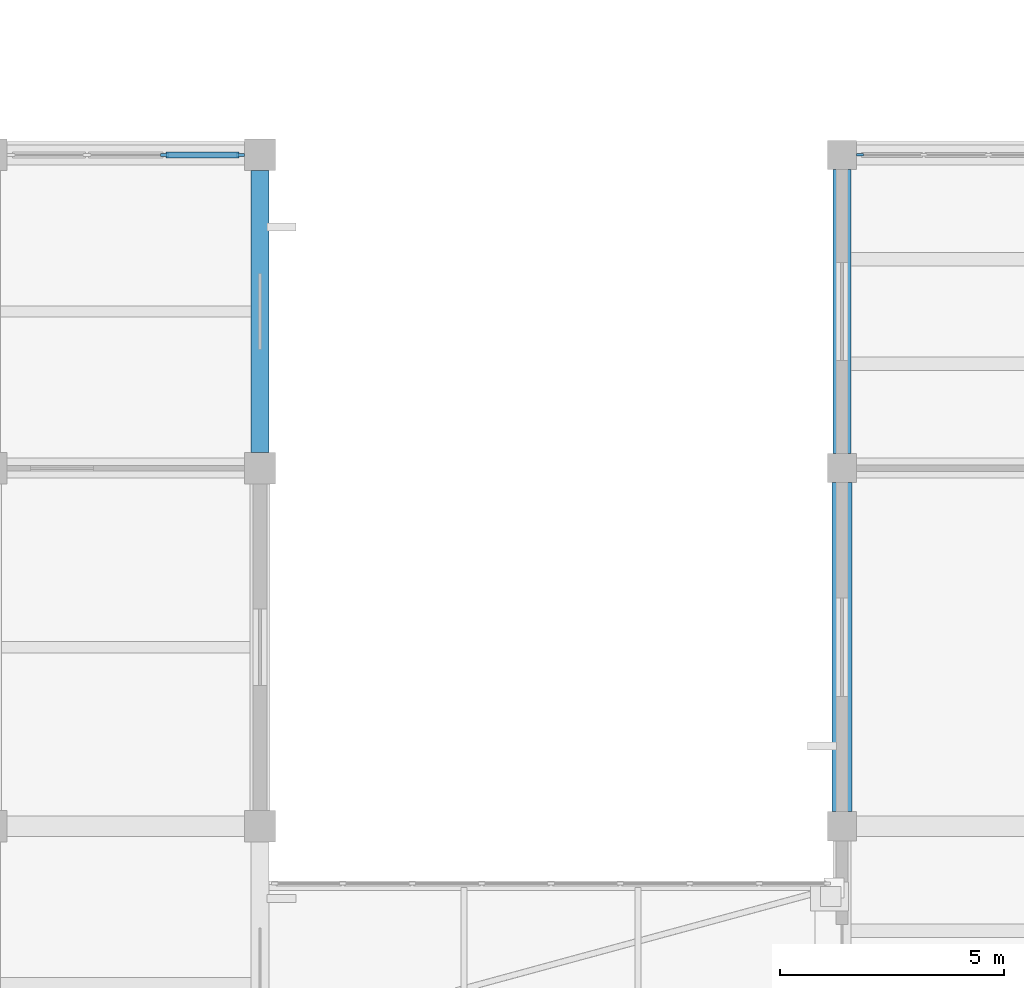
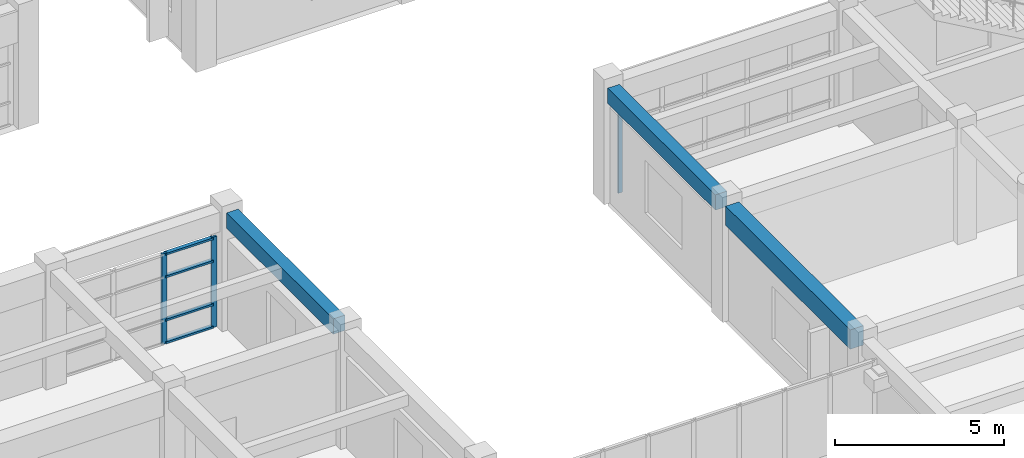
# One storey, part 9 of 70: 7 members, 3 beams, 2 elements without a shape of their own.
"""IFC4 building model written with IfcOpenShell, lengths in metres."""

from ifc_helpers import new_model, si_unit, direction, frame, origin, origin_2d, place, context, subcontext, project, spatial, rectangle, extrude, material, layer, layer_set, material_profile, profile_set, type_object, element, aggregate, save


model = new_model("IFC4")

# Units and contexts
model_context = context("Model", 3, precision=1e-05, world=origin(), true_north=direction((0.0, 1.0)))
body_context = subcontext(model_context, "Body", "Model", "MODEL_VIEW")
ifc_project = project(units=[si_unit("LENGTHUNIT", "METRE"), si_unit("AREAUNIT", "SQUARE_METRE"), si_unit("VOLUMEUNIT", "CUBIC_METRE"), si_unit("PLANEANGLEUNIT", "RADIAN"), si_unit("MASSUNIT", "GRAM", prefix="KILO")], contexts=[model_context])

# Site, building, storey
site_placement = place(None, origin())
site = spatial("IfcSite", under=ifc_project, at=site_placement, CompositionType="ELEMENT")
building_placement = place(site_placement, origin())
building = spatial("IfcBuilding", under=site, at=building_placement, Name="Naurynzar Civic Courthouse", CompositionType="ELEMENT")
storey_placement = place(building_placement, frame((0.0, 0.0, 5.39990234375)))
storey = spatial("IfcBuildingStorey", under=building, at=storey_placement, Name="L02", CompositionType="ELEMENT", Elevation=5.39990234375)

# Beams
ifc_material_1 = material(Name="Concrete C40/50", Category="concrete")
ifc_material_profile_1 = material_profile(ifc_material_1, rectangle(XDim=0.39990234375, YDim=0.550048828125, at=origin_2d()), Name="RCB 400x550")
ifc_profile_set_1 = profile_set([ifc_material_profile_1], Name="Concrete C40/50")
beam_type_1 = type_object("IfcBeamType", Name="BM-RC-400x550", PredefinedType="BEAM", material=ifc_profile_set_1)
beam_1_placement = place(storey_placement, frame((69.0, 25.324951171875, 3.885009765625), z_axis=(0.0, 1.0, 0.0), x_axis=(-1.0, 0.0, 0.0)))
element("IfcBeam", 1, at=beam_1_placement, inside=storey, type_object=beam_type_1, Name="V3 girder Y-1372 L02", PredefinedType="BEAM", context=body_context, shape_type="SweptSolid", body=[
    extrude(rectangle(XDim=0.39990234375, YDim=0.550048828125, at=origin_2d()), origin(), (0.0, 0.0, 1.0), 6.35009765625),
])
beam_2_placement = place(storey_placement, frame((56.0, 25.35009765625, 3.955078125), z_axis=(0.0, 1.0, 0.0), x_axis=(-1.0, 0.0, 0.0)))
element("IfcBeam", 2, at=beam_2_placement, inside=storey, type_object=beam_type_1, Name="V4 girder Y-1847 L02", PredefinedType="BEAM", context=body_context, shape_type="SweptSolid", body=[
    extrude(rectangle(XDim=0.39990234375, YDim=0.550048828125, at=origin_2d()), origin(), (0.0, 0.0, 1.0), 6.2998046875),
])
ifc_material_2 = material(Name="Concrete C40/50", Category="concrete")
ifc_material_profile_2 = material_profile(ifc_material_2, rectangle(XDim=0.449951171875, YDim=0.699951171875, at=origin_2d()), Name="RCB 450x700")
ifc_profile_set_2 = profile_set([ifc_material_profile_2], Name="Concrete C40/50")
beam_type_2 = type_object("IfcBeamType", Name="BM-RC-450x700", PredefinedType="BEAM", material=ifc_profile_set_2)
beam_3_placement = place(storey_placement, frame((69.0, 17.324951171875, 3.81005859375), z_axis=(0.0, 1.0, 0.0), x_axis=(-1.0, 0.0, 0.0)))
element("IfcBeam", 3, at=beam_3_placement, inside=storey, type_object=beam_type_2, Name="V3 girder Y-1371 L02", PredefinedType="BEAM", context=body_context, shape_type="SweptSolid", body=[
    extrude(rectangle(XDim=0.449951171875, YDim=0.699951171875, at=origin_2d()), origin(), (0.0, 0.0, 1.0), 7.35009765625),
])

# Curtain wall, member
ifc_material_3 = material(Name="Aluminium 6063-T6", Category="aluminium")
ifc_layer_1 = layer(ifc_material_3, 0.179931640625)
ifc_layer_set_1 = layer_set([ifc_layer_1], Name="CW-UNIT-1500")
curtain_wall_type_1 = type_object("IfcCurtainWallType", Name="CW-UNIT-1500", PredefinedType="NOTDEFINED", material=ifc_layer_set_1)
curtain_wall_1_placement = place(storey_placement, origin())
curtain_wall_1 = element("IfcCurtainWall", 4, at=curtain_wall_1_placement, inside=storey, type_object=curtain_wall_type_1, Name="V3 unitised curtain wall 64 L02", PredefinedType="NOTDEFINED")
ifc_material_4 = material(Name="Aluminium 6063-T6", Category="aluminium")
ifc_material_profile_3 = material_profile(ifc_material_4, rectangle(XDim=0.06005859375, YDim=0.14990234375, at=origin_2d()), Name="ALU MULLION 60x150")
ifc_profile_set_3 = profile_set([ifc_material_profile_3], Name="Aluminium 6063-T6")
member_type_1 = type_object("IfcMemberType", Name="CWM-60x150", PredefinedType="MULLION", material=ifc_profile_set_3)
member_1_placement = place(storey_placement, frame((69.405029296875, 32.0, 0.0), z_axis=(0.0, 0.0, 1.0), x_axis=(0.0, 1.0, 0.0)))
member_1 = element("IfcMember", 5, at=member_1_placement, type_object=member_type_1, Name="CW-01 mullion 1", PredefinedType="MULLION", context=body_context, shape_type="SweptSolid", body=[
    extrude(rectangle(XDim=0.06005859375, YDim=0.14990234375, at=origin_2d()), origin(), (0.0, 0.0, 1.0), 3.440185546875),
])
aggregate(curtain_wall_1, [member_1])

# Curtain wall, members
ifc_material_5 = material(Name="Aluminium 6063-T6", Category="aluminium")
ifc_layer_2 = layer(ifc_material_5, 0.159912109375)
ifc_layer_set_2 = layer_set([ifc_layer_2], Name="CW-UNIT-1800")
curtain_wall_type_2 = type_object("IfcCurtainWallType", Name="CW-UNIT-1800", PredefinedType="NOTDEFINED", material=ifc_layer_set_2)
curtain_wall_2_placement = place(storey_placement, origin())
curtain_wall_2 = element("IfcCurtainWall", 6, at=curtain_wall_2_placement, inside=storey, type_object=curtain_wall_type_2, Name="V4 unitised curtain wall 76 L02", PredefinedType="NOTDEFINED")
ifc_material_6 = material(Name="Aluminium 6063-T6", Category="aluminium")
ifc_material_profile_4 = material_profile(ifc_material_6, rectangle(XDim=0.070068359375, YDim=0.179931640625, at=origin_2d()), Name="ALU MULLION 70x180")
ifc_profile_set_4 = profile_set([ifc_material_profile_4], Name="Aluminium 6063-T6")
member_type_2 = type_object("IfcMemberType", Name="CWM-70x180", PredefinedType="MULLION", material=ifc_profile_set_4)
member_2_placement = place(storey_placement, frame((53.86669921875, 32.0, 0.0), z_axis=(0.0, 0.0, 1.0), x_axis=(0.0, 1.0, 0.0)))
member_2 = element("IfcMember", 7, at=member_2_placement, type_object=member_type_2, Name="CW-02 mullion 3", PredefinedType="MULLION", context=body_context, shape_type="SweptSolid", body=[
    extrude(rectangle(XDim=0.070068359375, YDim=0.179931640625, at=origin_2d()), origin(), (0.0, 0.0, 1.0), 3.260009765625),
])
member_3_placement = place(storey_placement, frame((55.56494140625, 32.0, 0.0), z_axis=(0.0, 0.0, 1.0), x_axis=(0.0, 1.0, 0.0)))
member_3 = element("IfcMember", 8, at=member_3_placement, type_object=member_type_2, Name="CW-02 mullion 4", PredefinedType="MULLION", context=body_context, shape_type="SweptSolid", body=[
    extrude(rectangle(XDim=0.070068359375, YDim=0.179931640625, at=origin_2d()), origin(), (0.0, 0.0, 1.0), 3.260009765625),
])
ifc_material_7 = material(Name="Aluminium 6063-T6", Category="aluminium")
ifc_material_profile_5 = material_profile(ifc_material_7, rectangle(XDim=0.1298828125, YDim=0.070068359375, at=origin_2d()), Name="ALU TRANSOM 70x130")
ifc_profile_set_5 = profile_set([ifc_material_profile_5], Name="Aluminium 6063-T6")
member_type_3 = type_object("IfcMemberType", Name="CWT-70x130", PredefinedType="USERDEFINED", material=ifc_profile_set_5)
member_4_placement = place(storey_placement, frame((53.901611328125, 32.0, 0.03515625), z_axis=(1.0, 0.0, 0.0), x_axis=(0.0, 1.0, 0.0)))
member_4 = element("IfcMember", 9, at=member_4_placement, type_object=member_type_3, Name="CW-02 transom 3.1", ObjectType="TRANSOM", PredefinedType="USERDEFINED", context=body_context, shape_type="SweptSolid", body=[
    extrude(rectangle(XDim=0.1298828125, YDim=0.070068359375, at=origin_2d()), origin(), (0.0, 0.0, 1.0), 1.62841796875),
])
member_5_placement = place(storey_placement, frame((53.901611328125, 32.0, 0.85009765625), z_axis=(1.0, 0.0, 0.0), x_axis=(0.0, 1.0, 0.0)))
member_5 = element("IfcMember", 10, at=member_5_placement, type_object=member_type_3, Name="CW-02 transom 3.2", ObjectType="TRANSOM", PredefinedType="USERDEFINED", context=body_context, shape_type="SweptSolid", body=[
    extrude(rectangle(XDim=0.1298828125, YDim=0.070068359375, at=origin_2d()), origin(), (0.0, 0.0, 1.0), 1.62841796875),
])
member_6_placement = place(storey_placement, frame((53.901611328125, 32.0, 2.41015625), z_axis=(1.0, 0.0, 0.0), x_axis=(0.0, 1.0, 0.0)))
member_6 = element("IfcMember", 11, at=member_6_placement, type_object=member_type_3, Name="CW-02 transom 3.3", ObjectType="TRANSOM", PredefinedType="USERDEFINED", context=body_context, shape_type="SweptSolid", body=[
    extrude(rectangle(XDim=0.1298828125, YDim=0.070068359375, at=origin_2d()), origin(), (0.0, 0.0, 1.0), 1.62841796875),
])
member_7_placement = place(storey_placement, frame((53.901611328125, 32.0, 3.22509765625), z_axis=(1.0, 0.0, 0.0), x_axis=(0.0, 1.0, 0.0)))
member_7 = element("IfcMember", 12, at=member_7_placement, type_object=member_type_3, Name="CW-02 transom 3.4", ObjectType="TRANSOM", PredefinedType="USERDEFINED", context=body_context, shape_type="SweptSolid", body=[
    extrude(rectangle(XDim=0.1298828125, YDim=0.070068359375, at=origin_2d()), origin(), (0.0, 0.0, 1.0), 1.62841796875),
])
aggregate(curtain_wall_2, [member_2, member_3, member_4, member_5, member_6, member_7])

save(model, "model.ifc")
